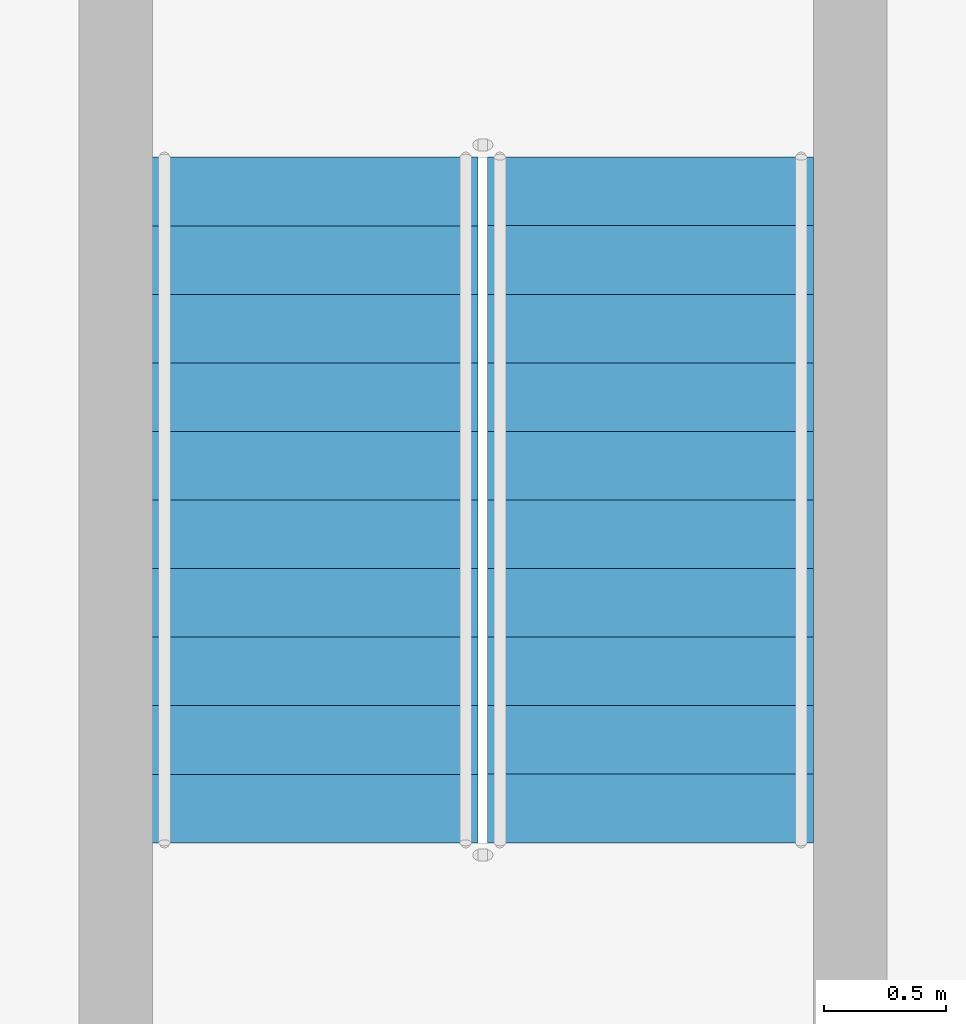
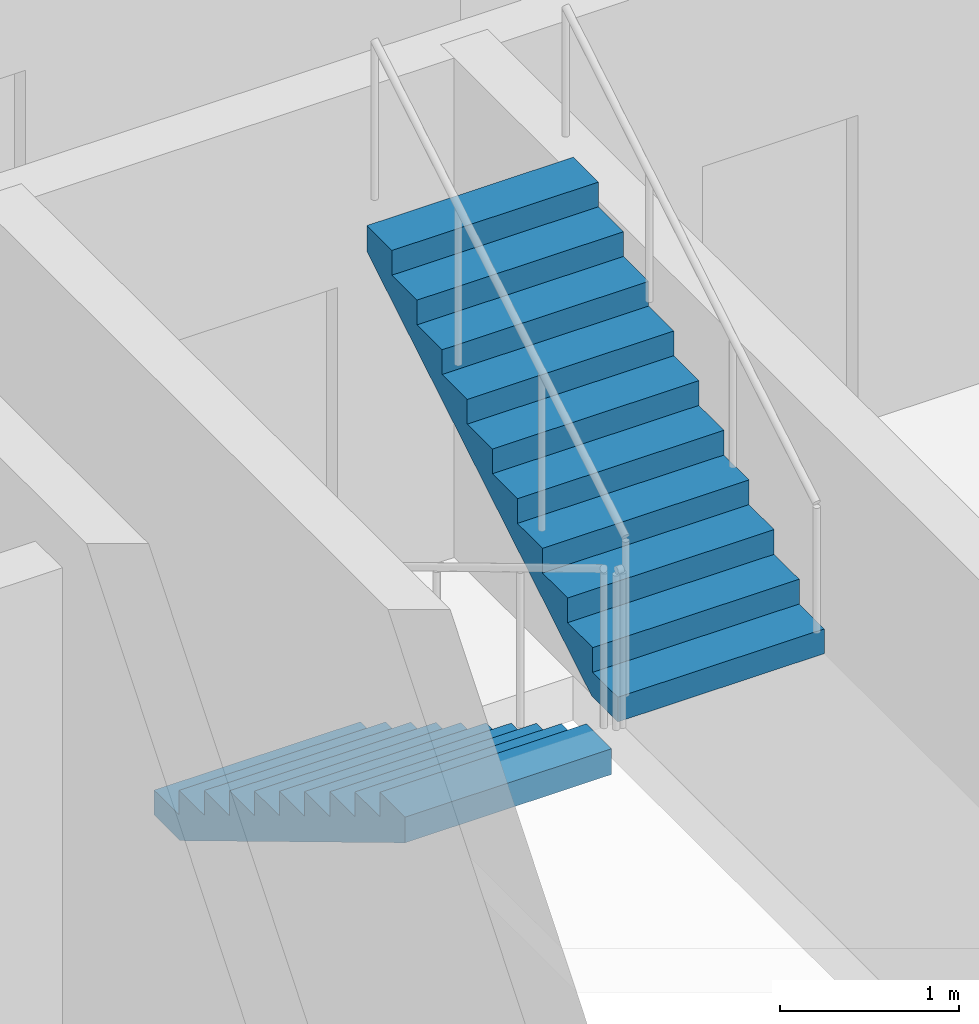
# One storey, part 15 of 20: 2 stair flights, 1 element without a shape of its own.
"""IFC4 building model written with IfcOpenShell, lengths in metres."""

from ifc_helpers import new_model, si_unit, direction, frame, origin, place, context, subcontext, project, spatial, triangles, source, transform, mapped, material, type_object, element, aggregate, save


model = new_model("IFC4")

# Units and contexts
model_context = context("Model", 3, precision=1e-05, world=origin(), true_north=direction((0.0, 1.0)))
body_context = subcontext(model_context, "Body", "Model", "MODEL_VIEW")
ifc_project = project(units=[si_unit("LENGTHUNIT", "METRE"), si_unit("AREAUNIT", "SQUARE_METRE"), si_unit("VOLUMEUNIT", "CUBIC_METRE"), si_unit("PLANEANGLEUNIT", "RADIAN"), si_unit("MASSUNIT", "GRAM", prefix="KILO")], contexts=[model_context])

# Site, building, storey
site_placement = place(None, origin())
site = spatial("IfcSite", under=ifc_project, at=site_placement, CompositionType="ELEMENT")
building_placement = place(site_placement, origin())
building = spatial("IfcBuilding", under=site, at=building_placement, Name="Ogive Portal Towers", CompositionType="ELEMENT")
storey_placement = place(building_placement, frame((0.0, 0.0, 214.300048828125)))
storey = spatial("IfcBuildingStorey", under=building, at=storey_placement, Name="L53", CompositionType="ELEMENT", Elevation=214.300048828125)

# Stair, stair flights
ifc_material = material(Name="Concrete C40/50", Category="concrete")
stair_type = type_object("IfcStairType", Name="INT-STAIR", PredefinedType="HALF_TURN_STAIR", material=ifc_material)
stair_placement = place(storey_placement, origin())
stair = element("IfcStair", 1, at=stair_placement, inside=storey, type_object=stair_type, Name="L53 Exit Stair ST-A4", PredefinedType="HALF_TURN_STAIR")
stair_flight_type = type_object("IfcStairFlightType", Name="INT-FLIGHT", PredefinedType="STRAIGHT", material=ifc_material)
shared_shape = source(origin(), body_context, "Body", "Tessellation", [
    triangles([(0.0, -0.6650390625, 0.0), (0.0, -0.384765625, 0.0), (0.0, -0.197021484375, 0.0), (0.0, -0.0830078125, 0.0), (0.0, -0.024658203125, 0.0), (0.0, -0.003173828125, 0.0), (0.0, 0.0, 0.0), (0.0, 0.003173828125, 0.0), (0.0, 0.024658203125, 0.0), (0.0, 0.0830078125, 0.0), (0.0, 0.197021484375, 0.0), (0.0, 0.384765625, 0.0), (0.0, 0.6650390625, 0.0), (0.0, -0.6650390625, 0.168212890625), (0.0, -0.384765625, 0.168212890625), (0.0, -0.197021484375, 0.168212890625), (0.0, -0.0830078125, 0.168212890625), (0.0, -0.024658203125, 0.168212890625), (0.0, -0.003173828125, 0.168212890625), (0.0, 0.0, 0.168212890625), (0.0, 0.003173828125, 0.168212890625), (0.0, 0.024658203125, 0.168212890625), (0.0, 0.0830078125, 0.168212890625), (0.0, 0.197021484375, 0.168212890625), (0.0, 0.384765625, 0.168212890625), (0.0, 0.6650390625, 0.168212890625), (0.280029296875, -0.6650390625, 0.168212890625), (0.280029296875, -0.384765625, 0.168212890625), (0.280029296875, -0.197021484375, 0.168212890625), (0.280029296875, -0.0830078125, 0.168212890625), (0.280029296875, -0.024658203125, 0.168212890625), (0.280029296875, -0.003173828125, 0.168212890625), (0.280029296875, 0.0, 0.168212890625), (0.280029296875, 0.003173828125, 0.168212890625), (0.280029296875, 0.024658203125, 0.168212890625), (0.280029296875, 0.0830078125, 0.168212890625), (0.280029296875, 0.197021484375, 0.168212890625), (0.280029296875, 0.384765625, 0.168212890625), (0.280029296875, 0.6650390625, 0.168212890625), (0.280029296875, -0.6650390625, 0.33642578125), (0.280029296875, -0.384765625, 0.33642578125), (0.280029296875, -0.197021484375, 0.33642578125), (0.280029296875, -0.0830078125, 0.33642578125), (0.280029296875, -0.024658203125, 0.33642578125), (0.280029296875, -0.003173828125, 0.33642578125), (0.280029296875, 0.0, 0.33642578125), (0.280029296875, 0.003173828125, 0.33642578125), (0.280029296875, 0.024658203125, 0.33642578125), (0.280029296875, 0.0830078125, 0.33642578125), (0.280029296875, 0.197021484375, 0.33642578125), (0.280029296875, 0.384765625, 0.33642578125), (0.280029296875, 0.6650390625, 0.33642578125), (0.56005859375, -0.6650390625, 0.33642578125), (0.56005859375, -0.384765625, 0.33642578125), (0.56005859375, -0.197021484375, 0.33642578125), (0.56005859375, -0.0830078125, 0.33642578125), (0.56005859375, -0.024658203125, 0.33642578125), (0.56005859375, -0.003173828125, 0.33642578125), (0.56005859375, 0.0, 0.33642578125), (0.56005859375, 0.003173828125, 0.33642578125), (0.56005859375, 0.024658203125, 0.33642578125), (0.56005859375, 0.0830078125, 0.33642578125), (0.56005859375, 0.197021484375, 0.33642578125), (0.56005859375, 0.384765625, 0.33642578125), (0.56005859375, 0.6650390625, 0.33642578125), (0.56005859375, -0.6650390625, 0.504638671875), (0.56005859375, -0.384765625, 0.504638671875), (0.56005859375, -0.197021484375, 0.504638671875), (0.56005859375, -0.0830078125, 0.504638671875), (0.56005859375, -0.024658203125, 0.504638671875), (0.56005859375, -0.003173828125, 0.504638671875), (0.56005859375, 0.0, 0.504638671875), (0.56005859375, 0.003173828125, 0.504638671875), (0.56005859375, 0.024658203125, 0.504638671875), (0.56005859375, 0.0830078125, 0.504638671875), (0.56005859375, 0.197021484375, 0.504638671875), (0.56005859375, 0.384765625, 0.504638671875), (0.56005859375, 0.6650390625, 0.504638671875), (0.840087890625, -0.6650390625, 0.504638671875), (0.840087890625, -0.384765625, 0.504638671875), (0.840087890625, -0.197021484375, 0.504638671875), (0.840087890625, -0.0830078125, 0.504638671875), (0.840087890625, -0.024658203125, 0.504638671875), (0.840087890625, -0.003173828125, 0.504638671875), (0.840087890625, 0.0, 0.504638671875), (0.840087890625, 0.003173828125, 0.504638671875), (0.840087890625, 0.024658203125, 0.504638671875), (0.840087890625, 0.0830078125, 0.504638671875), (0.840087890625, 0.197021484375, 0.504638671875), (0.840087890625, 0.384765625, 0.504638671875), (0.840087890625, 0.6650390625, 0.504638671875), (0.840087890625, -0.6650390625, 0.672607421875), (0.840087890625, -0.384765625, 0.672607421875), (0.840087890625, -0.197021484375, 0.672607421875), (0.840087890625, -0.0830078125, 0.672607421875), (0.840087890625, -0.024658203125, 0.672607421875), (0.840087890625, -0.003173828125, 0.672607421875), (0.840087890625, 0.0, 0.672607421875), (0.840087890625, 0.003173828125, 0.672607421875), (0.840087890625, 0.024658203125, 0.672607421875), (0.840087890625, 0.0830078125, 0.672607421875), (0.840087890625, 0.197021484375, 0.672607421875), (0.840087890625, 0.384765625, 0.672607421875), (0.840087890625, 0.6650390625, 0.672607421875), (1.1201171875, -0.6650390625, 0.672607421875), (1.1201171875, -0.384765625, 0.672607421875), (1.1201171875, -0.197021484375, 0.672607421875), (1.1201171875, -0.0830078125, 0.672607421875), (1.1201171875, -0.024658203125, 0.672607421875), (1.1201171875, -0.003173828125, 0.672607421875), (1.1201171875, 0.0, 0.672607421875), (1.1201171875, 0.003173828125, 0.672607421875), (1.1201171875, 0.024658203125, 0.672607421875), (1.1201171875, 0.0830078125, 0.672607421875), (1.1201171875, 0.197021484375, 0.672607421875), (1.1201171875, 0.384765625, 0.672607421875), (1.1201171875, 0.6650390625, 0.672607421875), (1.1201171875, -0.6650390625, 0.8408203125), (1.1201171875, -0.384765625, 0.8408203125), (1.1201171875, -0.197021484375, 0.8408203125), (1.1201171875, -0.0830078125, 0.8408203125), (1.1201171875, -0.024658203125, 0.8408203125), (1.1201171875, -0.003173828125, 0.8408203125), (1.1201171875, 0.0, 0.8408203125), (1.1201171875, 0.003173828125, 0.8408203125), (1.1201171875, 0.024658203125, 0.8408203125), (1.1201171875, 0.0830078125, 0.8408203125), (1.1201171875, 0.197021484375, 0.8408203125), (1.1201171875, 0.384765625, 0.8408203125), (1.1201171875, 0.6650390625, 0.8408203125), (1.39990234375, -0.6650390625, 0.8408203125), (1.39990234375, -0.384765625, 0.8408203125), (1.39990234375, -0.197021484375, 0.8408203125), (1.39990234375, -0.0830078125, 0.8408203125), (1.39990234375, -0.024658203125, 0.8408203125), (1.39990234375, -0.003173828125, 0.8408203125), (1.39990234375, 0.0, 0.8408203125), (1.39990234375, 0.003173828125, 0.8408203125), (1.39990234375, 0.024658203125, 0.8408203125), (1.39990234375, 0.0830078125, 0.8408203125), (1.39990234375, 0.197021484375, 0.8408203125), (1.39990234375, 0.384765625, 0.8408203125), (1.39990234375, 0.6650390625, 0.8408203125), (1.39990234375, -0.6650390625, 1.009033203125), (1.39990234375, -0.384765625, 1.009033203125), (1.39990234375, -0.197021484375, 1.009033203125), (1.39990234375, -0.0830078125, 1.009033203125), (1.39990234375, -0.024658203125, 1.009033203125), (1.39990234375, -0.003173828125, 1.009033203125), (1.39990234375, 0.0, 1.009033203125), (1.39990234375, 0.003173828125, 1.009033203125), (1.39990234375, 0.024658203125, 1.009033203125), (1.39990234375, 0.0830078125, 1.009033203125), (1.39990234375, 0.197021484375, 1.009033203125), (1.39990234375, 0.384765625, 1.009033203125), (1.39990234375, 0.6650390625, 1.009033203125), (1.679931640625, -0.6650390625, 1.009033203125), (1.679931640625, -0.384765625, 1.009033203125), (1.679931640625, -0.197021484375, 1.009033203125), (1.679931640625, -0.0830078125, 1.009033203125), (1.679931640625, -0.024658203125, 1.009033203125), (1.679931640625, -0.003173828125, 1.009033203125), (1.679931640625, 0.0, 1.009033203125), (1.679931640625, 0.003173828125, 1.009033203125), (1.679931640625, 0.024658203125, 1.009033203125), (1.679931640625, 0.0830078125, 1.009033203125), (1.679931640625, 0.197021484375, 1.009033203125), (1.679931640625, 0.384765625, 1.009033203125), (1.679931640625, 0.6650390625, 1.009033203125), (1.679931640625, -0.6650390625, 1.17724609375), (1.679931640625, -0.384765625, 1.17724609375), (1.679931640625, -0.197021484375, 1.17724609375), (1.679931640625, -0.0830078125, 1.17724609375), (1.679931640625, -0.024658203125, 1.17724609375), (1.679931640625, -0.003173828125, 1.17724609375), (1.679931640625, 0.0, 1.17724609375), (1.679931640625, 0.003173828125, 1.17724609375), (1.679931640625, 0.024658203125, 1.17724609375), (1.679931640625, 0.0830078125, 1.17724609375), (1.679931640625, 0.197021484375, 1.17724609375), (1.679931640625, 0.384765625, 1.17724609375), (1.679931640625, 0.6650390625, 1.17724609375), (1.9599609375, -0.6650390625, 1.17724609375), (1.9599609375, -0.384765625, 1.17724609375), (1.9599609375, -0.197021484375, 1.17724609375), (1.9599609375, -0.0830078125, 1.17724609375), (1.9599609375, -0.024658203125, 1.17724609375), (1.9599609375, -0.003173828125, 1.17724609375), (1.9599609375, 0.0, 1.17724609375), (1.9599609375, 0.003173828125, 1.17724609375), (1.9599609375, 0.024658203125, 1.17724609375), (1.9599609375, 0.0830078125, 1.17724609375), (1.9599609375, 0.197021484375, 1.17724609375), (1.9599609375, 0.384765625, 1.17724609375), (1.9599609375, 0.6650390625, 1.17724609375), (1.9599609375, -0.6650390625, 1.345458984375), (1.9599609375, -0.384765625, 1.345458984375), (1.9599609375, -0.197021484375, 1.345458984375), (1.9599609375, -0.0830078125, 1.345458984375), (1.9599609375, -0.024658203125, 1.345458984375), (1.9599609375, -0.003173828125, 1.345458984375), (1.9599609375, 0.0, 1.345458984375), (1.9599609375, 0.003173828125, 1.345458984375), (1.9599609375, 0.024658203125, 1.345458984375), (1.9599609375, 0.0830078125, 1.345458984375), (1.9599609375, 0.197021484375, 1.345458984375), (1.9599609375, 0.384765625, 1.345458984375), (1.9599609375, 0.6650390625, 1.345458984375), (2.239990234375, -0.6650390625, 1.345458984375), (2.239990234375, -0.384765625, 1.345458984375), (2.239990234375, -0.197021484375, 1.345458984375), (2.239990234375, -0.0830078125, 1.345458984375), (2.239990234375, -0.024658203125, 1.345458984375), (2.239990234375, -0.003173828125, 1.345458984375), (2.239990234375, 0.0, 1.345458984375), (2.239990234375, 0.003173828125, 1.345458984375), (2.239990234375, 0.024658203125, 1.345458984375), (2.239990234375, 0.0830078125, 1.345458984375), (2.239990234375, 0.197021484375, 1.345458984375), (2.239990234375, 0.384765625, 1.345458984375), (2.239990234375, 0.6650390625, 1.345458984375), (2.239990234375, -0.6650390625, 1.513671875), (2.239990234375, -0.384765625, 1.513671875), (2.239990234375, -0.197021484375, 1.513671875), (2.239990234375, -0.0830078125, 1.513671875), (2.239990234375, -0.024658203125, 1.513671875), (2.239990234375, -0.003173828125, 1.513671875), (2.239990234375, 0.0, 1.513671875), (2.239990234375, 0.003173828125, 1.513671875), (2.239990234375, 0.024658203125, 1.513671875), (2.239990234375, 0.0830078125, 1.513671875), (2.239990234375, 0.197021484375, 1.513671875), (2.239990234375, 0.384765625, 1.513671875), (2.239990234375, 0.6650390625, 1.513671875), (2.52001953125, -0.6650390625, 1.513671875), (2.52001953125, -0.384765625, 1.513671875), (2.52001953125, -0.197021484375, 1.513671875), (2.52001953125, -0.0830078125, 1.513671875), (2.52001953125, -0.024658203125, 1.513671875), (2.52001953125, -0.003173828125, 1.513671875), (2.52001953125, 0.0, 1.513671875), (2.52001953125, 0.003173828125, 1.513671875), (2.52001953125, 0.024658203125, 1.513671875), (2.52001953125, 0.0830078125, 1.513671875), (2.52001953125, 0.197021484375, 1.513671875), (2.52001953125, 0.384765625, 1.513671875), (2.52001953125, 0.6650390625, 1.513671875), (2.52001953125, -0.6650390625, 1.681884765625), (2.52001953125, -0.384765625, 1.681884765625), (2.52001953125, -0.197021484375, 1.681884765625), (2.52001953125, -0.0830078125, 1.681884765625), (2.52001953125, -0.024658203125, 1.681884765625), (2.52001953125, -0.003173828125, 1.681884765625), (2.52001953125, 0.0, 1.681884765625), (2.52001953125, 0.003173828125, 1.681884765625), (2.52001953125, 0.024658203125, 1.681884765625), (2.52001953125, 0.0830078125, 1.681884765625), (2.52001953125, 0.197021484375, 1.681884765625), (2.52001953125, 0.384765625, 1.681884765625), (2.52001953125, 0.6650390625, 1.681884765625), (2.800048828125, -0.6650390625, 1.681884765625), (2.800048828125, -0.384765625, 1.681884765625), (2.800048828125, -0.197021484375, 1.681884765625), (2.800048828125, -0.0830078125, 1.681884765625), (2.800048828125, -0.024658203125, 1.681884765625), (2.800048828125, -0.003173828125, 1.681884765625), (2.800048828125, 0.0, 1.681884765625), (2.800048828125, 0.003173828125, 1.681884765625), (2.800048828125, 0.024658203125, 1.681884765625), (2.800048828125, 0.0830078125, 1.681884765625), (2.800048828125, 0.197021484375, 1.681884765625), (2.800048828125, 0.384765625, 1.681884765625), (2.800048828125, 0.6650390625, 1.681884765625), (2.800048828125, -0.6650390625, 1.5068359375), (2.800048828125, -0.384765625, 1.5068359375), (2.800048828125, -0.197021484375, 1.5068359375), (2.800048828125, -0.0830078125, 1.5068359375), (2.800048828125, -0.024658203125, 1.5068359375), (2.800048828125, -0.003173828125, 1.5068359375), (2.800048828125, 0.0, 1.5068359375), (2.800048828125, 0.003173828125, 1.5068359375), (2.800048828125, 0.024658203125, 1.5068359375), (2.800048828125, 0.0830078125, 1.5068359375), (2.800048828125, 0.197021484375, 1.5068359375), (2.800048828125, 0.384765625, 1.5068359375), (2.800048828125, 0.6650390625, 1.5068359375), (0.291015625, -0.6650390625, 0.0), (0.291015625, -0.384765625, 0.0), (0.291015625, -0.197021484375, 0.0), (0.291015625, -0.0830078125, 0.0), (0.291015625, -0.024658203125, 0.0), (0.291015625, -0.003173828125, 0.0), (0.291015625, 0.0, 0.0), (0.291015625, 0.003173828125, 0.0), (0.291015625, 0.024658203125, 0.0), (0.291015625, 0.0830078125, 0.0), (0.291015625, 0.197021484375, 0.0), (0.291015625, 0.384765625, 0.0), (0.291015625, 0.6650390625, 0.0)], [[1, 14, 15], [1, 15, 2], [2, 15, 16], [2, 16, 3], [3, 16, 17], [3, 17, 4], [4, 17, 18], [4, 18, 5], [5, 18, 19], [5, 19, 6], [6, 19, 20], [6, 20, 7], [7, 20, 21], [7, 21, 8], [8, 21, 22], [8, 22, 9], [9, 22, 23], [9, 23, 10], [10, 23, 24], [10, 24, 11], [11, 24, 25], [11, 25, 12], [12, 25, 26], [12, 26, 13], [14, 27, 28], [14, 28, 15], [15, 28, 29], [15, 29, 16], [16, 29, 30], [16, 30, 17], [17, 30, 31], [17, 31, 18], [18, 31, 32], [18, 32, 19], [19, 32, 33], [19, 33, 20], [20, 33, 34], [20, 34, 21], [21, 34, 35], [21, 35, 22], [22, 35, 36], [22, 36, 23], [23, 36, 37], [23, 37, 24], [24, 37, 38], [24, 38, 25], [25, 38, 39], [25, 39, 26], [27, 40, 41], [27, 41, 28], [28, 41, 42], [28, 42, 29], [29, 42, 43], [29, 43, 30], [30, 43, 44], [30, 44, 31], [31, 44, 45], [31, 45, 32], [32, 45, 46], [32, 46, 33], [33, 46, 47], [33, 47, 34], [34, 47, 48], [34, 48, 35], [35, 48, 49], [35, 49, 36], [36, 49, 50], [36, 50, 37], [37, 50, 51], [37, 51, 38], [38, 51, 52], [38, 52, 39], [40, 53, 54], [40, 54, 41], [41, 54, 55], [41, 55, 42], [42, 55, 56], [42, 56, 43], [43, 56, 57], [43, 57, 44], [44, 57, 58], [44, 58, 45], [45, 58, 59], [45, 59, 46], [46, 59, 60], [46, 60, 47], [47, 60, 61], [47, 61, 48], [48, 61, 62], [48, 62, 49], [49, 62, 63], [49, 63, 50], [50, 63, 64], [50, 64, 51], [51, 64, 65], [51, 65, 52], [53, 66, 67], [53, 67, 54], [54, 67, 68], [54, 68, 55], [55, 68, 69], [55, 69, 56], [56, 69, 70], [56, 70, 57], [57, 70, 71], [57, 71, 58], [58, 71, 72], [58, 72, 59], [59, 72, 73], [59, 73, 60], [60, 73, 74], [60, 74, 61], [61, 74, 75], [61, 75, 62], [62, 75, 76], [62, 76, 63], [63, 76, 77], [63, 77, 64], [64, 77, 78], [64, 78, 65], [66, 79, 80], [66, 80, 67], [67, 80, 81], [67, 81, 68], [68, 81, 82], [68, 82, 69], [69, 82, 83], [69, 83, 70], [70, 83, 84], [70, 84, 71], [71, 84, 85], [71, 85, 72], [72, 85, 86], [72, 86, 73], [73, 86, 87], [73, 87, 74], [74, 87, 88], [74, 88, 75], [75, 88, 89], [75, 89, 76], [76, 89, 90], [76, 90, 77], [77, 90, 91], [77, 91, 78], [79, 92, 93], [79, 93, 80], [80, 93, 94], [80, 94, 81], [81, 94, 95], [81, 95, 82], [82, 95, 96], [82, 96, 83], [83, 96, 97], [83, 97, 84], [84, 97, 98], [84, 98, 85], [85, 98, 99], [85, 99, 86], [86, 99, 100], [86, 100, 87], [87, 100, 101], [87, 101, 88], [88, 101, 102], [88, 102, 89], [89, 102, 103], [89, 103, 90], [90, 103, 104], [90, 104, 91], [92, 105, 106], [92, 106, 93], [93, 106, 107], [93, 107, 94], [94, 107, 108], [94, 108, 95], [95, 108, 109], [95, 109, 96], [96, 109, 110], [96, 110, 97], [97, 110, 111], [97, 111, 98], [98, 111, 112], [98, 112, 99], [99, 112, 113], [99, 113, 100], [100, 113, 114], [100, 114, 101], [101, 114, 115], [101, 115, 102], [102, 115, 116], [102, 116, 103], [103, 116, 117], [103, 117, 104], [105, 118, 119], [105, 119, 106], [106, 119, 120], [106, 120, 107], [107, 120, 121], [107, 121, 108], [108, 121, 122], [108, 122, 109], [109, 122, 123], [109, 123, 110], [110, 123, 124], [110, 124, 111], [111, 124, 125], [111, 125, 112], [112, 125, 126], [112, 126, 113], [113, 126, 127], [113, 127, 114], [114, 127, 128], [114, 128, 115], [115, 128, 129], [115, 129, 116], [116, 129, 130], [116, 130, 117], [118, 131, 132], [118, 132, 119], [119, 132, 133], [119, 133, 120], [120, 133, 134], [120, 134, 121], [121, 134, 135], [121, 135, 122], [122, 135, 136], [122, 136, 123], [123, 136, 137], [123, 137, 124], [124, 137, 138], [124, 138, 125], [125, 138, 139], [125, 139, 126], [126, 139, 140], [126, 140, 127], [127, 140, 141], [127, 141, 128], [128, 141, 142], [128, 142, 129], [129, 142, 143], [129, 143, 130], [131, 144, 145], [131, 145, 132], [132, 145, 146], [132, 146, 133], [133, 146, 147], [133, 147, 134], [134, 147, 148], [134, 148, 135], [135, 148, 149], [135, 149, 136], [136, 149, 150], [136, 150, 137], [137, 150, 151], [137, 151, 138], [138, 151, 152], [138, 152, 139], [139, 152, 153], [139, 153, 140], [140, 153, 154], [140, 154, 141], [141, 154, 155], [141, 155, 142], [142, 155, 156], [142, 156, 143], [144, 157, 158], [144, 158, 145], [145, 158, 159], [145, 159, 146], [146, 159, 160], [146, 160, 147], [147, 160, 161], [147, 161, 148], [148, 161, 162], [148, 162, 149], [149, 162, 163], [149, 163, 150], [150, 163, 164], [150, 164, 151], [151, 164, 165], [151, 165, 152], [152, 165, 166], [152, 166, 153], [153, 166, 167], [153, 167, 154], [154, 167, 168], [154, 168, 155], [155, 168, 169], [155, 169, 156], [157, 170, 171], [157, 171, 158], [158, 171, 172], [158, 172, 159], [159, 172, 173], [159, 173, 160], [160, 173, 174], [160, 174, 161], [161, 174, 175], [161, 175, 162], [162, 175, 176], [162, 176, 163], [163, 176, 177], [163, 177, 164], [164, 177, 178], [164, 178, 165], [165, 178, 179], [165, 179, 166], [166, 179, 180], [166, 180, 167], [167, 180, 181], [167, 181, 168], [168, 181, 182], [168, 182, 169], [170, 183, 184], [170, 184, 171], [171, 184, 185], [171, 185, 172], [172, 185, 186], [172, 186, 173], [173, 186, 187], [173, 187, 174], [174, 187, 188], [174, 188, 175], [175, 188, 189], [175, 189, 176], [176, 189, 190], [176, 190, 177], [177, 190, 191], [177, 191, 178], [178, 191, 192], [178, 192, 179], [179, 192, 193], [179, 193, 180], [180, 193, 194], [180, 194, 181], [181, 194, 195], [181, 195, 182], [183, 196, 197], [183, 197, 184], [184, 197, 198], [184, 198, 185], [185, 198, 199], [185, 199, 186], [186, 199, 200], [186, 200, 187], [187, 200, 201], [187, 201, 188], [188, 201, 202], [188, 202, 189], [189, 202, 203], [189, 203, 190], [190, 203, 204], [190, 204, 191], [191, 204, 205], [191, 205, 192], [192, 205, 206], [192, 206, 193], [193, 206, 207], [193, 207, 194], [194, 207, 208], [194, 208, 195], [196, 209, 210], [196, 210, 197], [197, 210, 211], [197, 211, 198], [198, 211, 212], [198, 212, 199], [199, 212, 213], [199, 213, 200], [200, 213, 214], [200, 214, 201], [201, 214, 215], [201, 215, 202], [202, 215, 216], [202, 216, 203], [203, 216, 217], [203, 217, 204], [204, 217, 218], [204, 218, 205], [205, 218, 219], [205, 219, 206], [206, 219, 220], [206, 220, 207], [207, 220, 221], [207, 221, 208], [209, 222, 223], [209, 223, 210], [210, 223, 224], [210, 224, 211], [211, 224, 225], [211, 225, 212], [212, 225, 226], [212, 226, 213], [213, 226, 227], [213, 227, 214], [214, 227, 228], [214, 228, 215], [215, 228, 229], [215, 229, 216], [216, 229, 230], [216, 230, 217], [217, 230, 231], [217, 231, 218], [218, 231, 232], [218, 232, 219], [219, 232, 233], [219, 233, 220], [220, 233, 234], [220, 234, 221], [222, 235, 236], [222, 236, 223], [223, 236, 237], [223, 237, 224], [224, 237, 238], [224, 238, 225], [225, 238, 239], [225, 239, 226], [226, 239, 240], [226, 240, 227], [227, 240, 241], [227, 241, 228], [228, 241, 242], [228, 242, 229], [229, 242, 243], [229, 243, 230], [230, 243, 244], [230, 244, 231], [231, 244, 245], [231, 245, 232], [232, 245, 246], [232, 246, 233], [233, 246, 247], [233, 247, 234], [235, 248, 249], [235, 249, 236], [236, 249, 250], [236, 250, 237], [237, 250, 251], [237, 251, 238], [238, 251, 252], [238, 252, 239], [239, 252, 253], [239, 253, 240], [240, 253, 254], [240, 254, 241], [241, 254, 255], [241, 255, 242], [242, 255, 256], [242, 256, 243], [243, 256, 257], [243, 257, 244], [244, 257, 258], [244, 258, 245], [245, 258, 259], [245, 259, 246], [246, 259, 260], [246, 260, 247], [248, 261, 262], [248, 262, 249], [249, 262, 263], [249, 263, 250], [250, 263, 264], [250, 264, 251], [251, 264, 265], [251, 265, 252], [252, 265, 266], [252, 266, 253], [253, 266, 267], [253, 267, 254], [254, 267, 268], [254, 268, 255], [255, 268, 269], [255, 269, 256], [256, 269, 270], [256, 270, 257], [257, 270, 271], [257, 271, 258], [258, 271, 272], [258, 272, 259], [259, 272, 273], [259, 273, 260], [261, 274, 275], [261, 275, 262], [262, 275, 276], [262, 276, 263], [263, 276, 277], [263, 277, 264], [264, 277, 278], [264, 278, 265], [265, 278, 279], [265, 279, 266], [266, 279, 280], [266, 280, 267], [267, 280, 281], [267, 281, 268], [268, 281, 282], [268, 282, 269], [269, 282, 283], [269, 283, 270], [270, 283, 284], [270, 284, 271], [271, 284, 285], [271, 285, 272], [272, 285, 286], [272, 286, 273], [274, 287, 288], [274, 288, 275], [275, 288, 289], [275, 289, 276], [276, 289, 290], [276, 290, 277], [277, 290, 291], [277, 291, 278], [278, 291, 292], [278, 292, 279], [279, 292, 293], [279, 293, 280], [280, 293, 294], [280, 294, 281], [281, 294, 295], [281, 295, 282], [282, 295, 296], [282, 296, 283], [283, 296, 297], [283, 297, 284], [284, 297, 298], [284, 298, 285], [285, 298, 299], [285, 299, 286], [287, 1, 2], [287, 2, 288], [288, 2, 3], [288, 3, 289], [289, 3, 4], [289, 4, 290], [290, 4, 5], [290, 5, 291], [291, 5, 6], [291, 6, 292], [292, 6, 7], [292, 7, 293], [293, 7, 8], [293, 8, 294], [294, 8, 9], [294, 9, 295], [295, 9, 10], [295, 10, 296], [296, 10, 11], [296, 11, 297], [297, 11, 12], [297, 12, 298], [298, 12, 13], [298, 13, 299], [1, 287, 274], [13, 286, 299], [274, 261, 248], [286, 260, 273], [274, 248, 235], [286, 247, 260], [274, 235, 222], [286, 234, 247], [274, 222, 209], [286, 221, 234], [209, 196, 183], [221, 195, 208], [274, 209, 183], [286, 195, 221], [183, 170, 157], [195, 169, 182], [274, 183, 157], [286, 169, 195], [157, 144, 131], [169, 143, 156], [274, 157, 131], [286, 143, 169], [131, 118, 105], [143, 117, 130], [274, 131, 105], [286, 117, 143], [1, 274, 105], [13, 117, 286], [105, 92, 79], [117, 91, 104], [79, 66, 53], [91, 65, 78], [105, 79, 53], [117, 65, 91], [53, 40, 27], [65, 39, 52], [105, 53, 27], [117, 39, 65], [1, 105, 27], [13, 39, 117], [27, 14, 1], [39, 13, 26]], closed=True),
])
stair_flight_1_placement = place(storey_placement, frame((87.6650390625, 29.169921875, 0.0), z_axis=(0.0, 0.0, 1.0), x_axis=(0.0, -1.0, 0.0)))
stair_flight_1 = element("IfcStairFlight", 2, at=stair_flight_1_placement, type_object=stair_flight_type, Name="ST-A4 flight 1", NumberOfRisers=11, NumberOfTreads=10, PredefinedType="STRAIGHT", RiserHeight=0.168181818, TreadLength=0.28, context=body_context, shape_type="MappedRepresentation", body=[
    mapped(shared_shape, transform((0.0, 0.0, 0.0), scale=1.0)),
])
stair_flight_2_placement = place(storey_placement, frame((89.034912109375, 26.3701171875, 1.849853515625), z_axis=(0.0, 0.0, 1.0), x_axis=(0.0, 1.0, 0.0)))
stair_flight_2 = element("IfcStairFlight", 3, at=stair_flight_2_placement, type_object=stair_flight_type, Name="ST-A4 flight 2", NumberOfRisers=11, NumberOfTreads=10, PredefinedType="STRAIGHT", RiserHeight=0.168181818, TreadLength=0.28, context=body_context, shape_type="MappedRepresentation", body=[
    mapped(shared_shape, transform((0.0, 0.0, 0.0), scale=1.0)),
])
aggregate(stair, [stair_flight_1, stair_flight_2])

save(model, "model.ifc")
